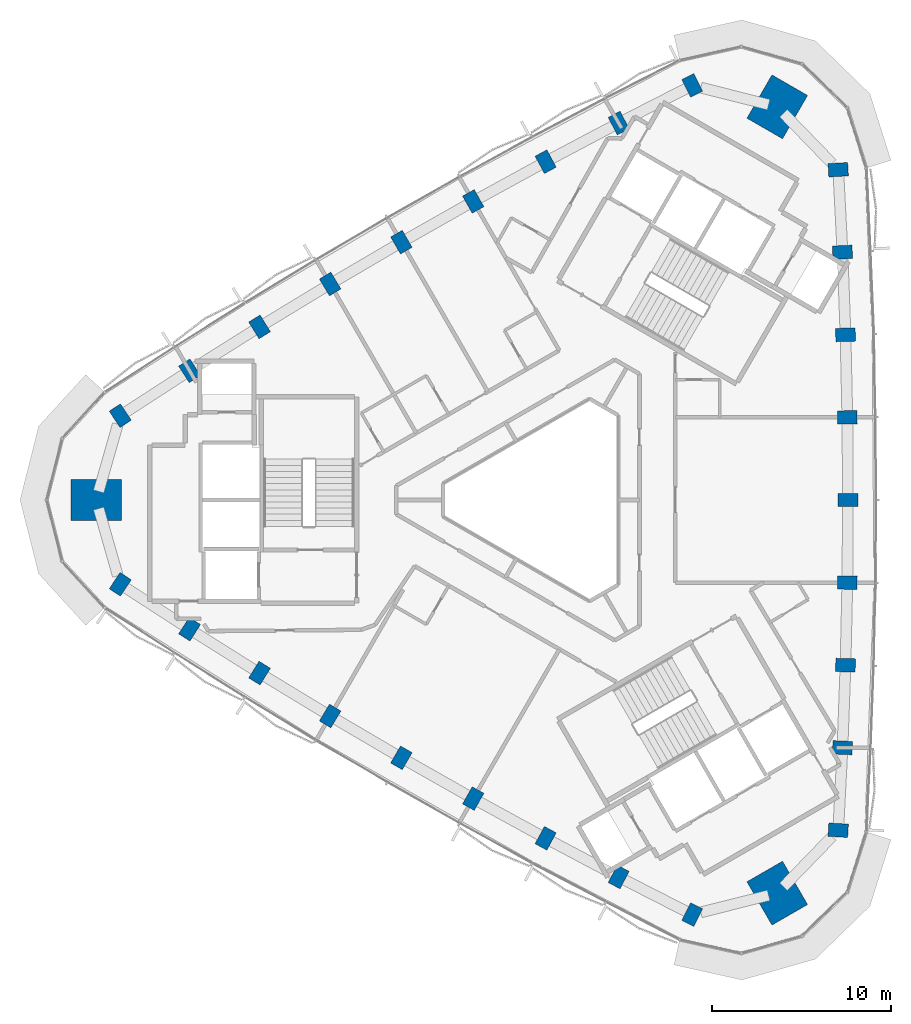
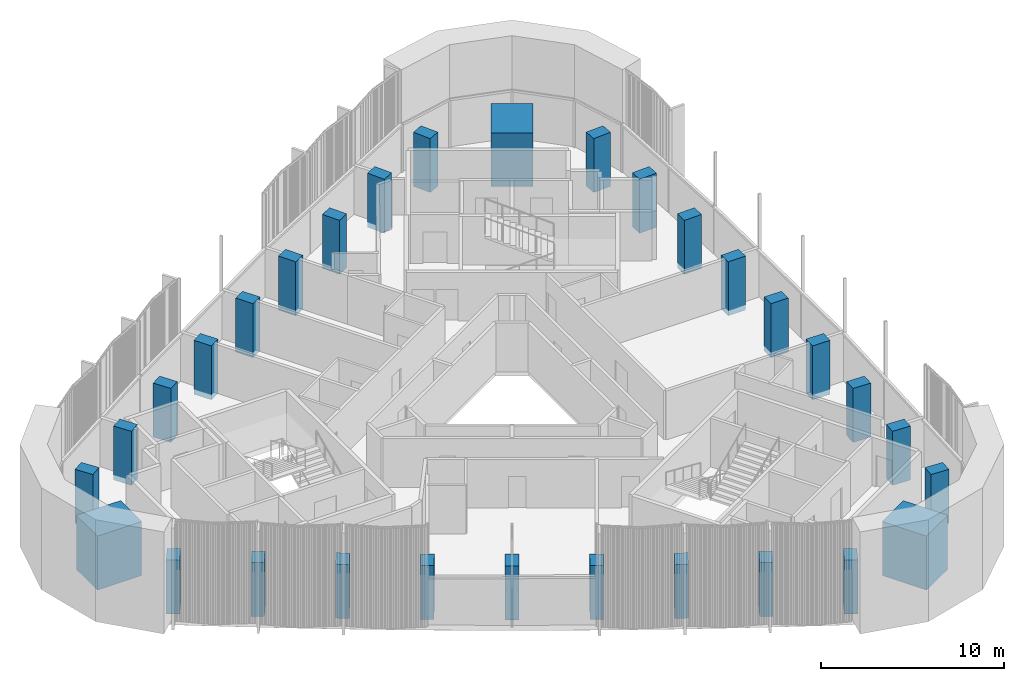
# One storey, part 1 of 14: 30 columns.
"""IFC4 building model written with IfcOpenShell, lengths in metres."""

from ifc_helpers import new_model, si_unit, direction, frame, origin, origin_2d, place, context, subcontext, project, spatial, rectangle, extrude, material, material_profile, profile_set, type_object, element, save


model = new_model("IFC4")

# Units and contexts
model_context = context("Model", 3, precision=1e-05, world=origin(), true_north=direction((0.0, 1.0)))
body_context = subcontext(model_context, "Body", "Model", "MODEL_VIEW")
ifc_project = project(units=[si_unit("LENGTHUNIT", "METRE"), si_unit("AREAUNIT", "SQUARE_METRE"), si_unit("VOLUMEUNIT", "CUBIC_METRE"), si_unit("PLANEANGLEUNIT", "RADIAN"), si_unit("MASSUNIT", "GRAM", prefix="KILO")], contexts=[model_context])

# Site, building, storey
site_placement = place(None, origin())
site = spatial("IfcSite", under=ifc_project, at=site_placement, CompositionType="ELEMENT")
building_placement = place(site_placement, origin())
building = spatial("IfcBuilding", under=site, at=building_placement, Name="Tamra Quay Hotel Tower", CompositionType="ELEMENT")
storey_placement = place(building_placement, frame((0.0, 0.0, 250.199951171875)))
storey = spatial("IfcBuildingStorey", under=building, at=storey_placement, Name="L63", CompositionType="ELEMENT", Elevation=250.199951171875)

# Columns
ifc_material = material(Name="Concrete M70", Category="concrete")
ifc_material_profile_1 = material_profile(ifc_material, rectangle(XDim=1.10009765625, YDim=0.75, at=origin_2d()), Name="COLUMN RC 750x1100 Z5")
ifc_profile_set_1 = profile_set([ifc_material_profile_1], Name="Concrete M70")
column_type_1 = type_object("IfcColumnType", Name="COLUMN RC 750x1100 Z5", PredefinedType="COLUMN", material=ifc_profile_set_1)
for number, where, z_axis, x_axis, name in (
    (1, (16.12548828125, -18.490966796875, -0.349853515625), (0.0, 0.0, 1.0), (-0.998292120165, 0.05841954139, 0.0), "COL-C5E01-L63"),
    (2, (16.36328125, -13.87158203125, -0.349853515625), (0.0, 0.0, 1.0), (-0.999033395056, 0.043957656467, 0.0), "COL-C5E02-L63"),
    (3, (16.533203125, -9.24951171875, -0.349853515625), (0.0, 0.0, 1.0), (-0.999578606696, 0.029027728727, 0.0), "COL-C5E03-L63"),
    (4, (16.63525390625, -4.625, -0.349853515625), (0.0, 0.0, 1.0), (-0.999888113, 0.014958659101, 0.0), "COL-C5E04-L63"),
    (5, (16.66943359375, 0.0, -0.349853515625), (0.0, 0.0, 1.0), (1.0, 0.0, 0.0), "COL-C5E05-L63"),
    (6, (16.63525390625, 4.625, -0.349853515625), (0.0, 0.0, 1.0), (0.999888113, 0.014958659101, 0.0), "COL-C5E06-L63"),
    (7, (16.533203125, 9.24951171875, -0.349853515625), (0.0, 0.0, 1.0), (0.999578606696, 0.029027728727, 0.0), "COL-C5E07-L63"),
    (8, (16.36328125, 13.87158203125, -0.349853515625), (0.0, 0.0, 1.0), (0.999033395056, 0.043957656467, 0.0), "COL-C5E08-L63"),
    (9, (16.12548828125, 18.490966796875, -0.349853515625), (0.0, 0.0, 1.0), (0.998292120165, 0.05841954139, 0.0), "COL-C5E09-L63"),
    (10, (7.950927734375, 23.210693359375, -0.349853515625), (0.0, 0.0, 1.0), (-0.448553253162, 0.893756107156, 0.0), "COL-C5NW01-L63"),
    (11, (3.83154296875, 21.10693359375, -0.349853515625), (0.0, 0.0, 1.0), (-0.461448250337, 0.887167127581, 0.0), "COL-C5NW02-L63"),
    (12, (-0.25634765625, 18.943115234375, -0.349853515625), (0.0, 0.0, 1.0), (-0.474650552857, 0.880174330842, 0.0), "COL-C5NW03-L63"),
    (13, (-4.312255859375, 16.718994140625, -0.349853515625), (0.0, 0.0, 1.0), (-0.486989477712, 0.87340783635, 0.0), "COL-C5NW04-L63"),
    (14, (-8.334716796875, 14.43603515625, -0.349853515625), (0.0, 0.0, 1.0), (-0.5, 0.866025403784, 0.0), "COL-C5NW05-L63"),
    (15, (-12.322998046875, 12.093994140625, -0.349853515625), (0.0, 0.0, 1.0), (-0.512898635288, 0.858449177249, 0.0), "COL-C5NW06-L63"),
    (16, (-16.277099609375, 9.693359375, -0.349853515625), (0.0, 0.0, 1.0), (-0.52492805384, 0.851146602115, 0.0), "COL-C5NW07-L63"),
    (17, (-20.19482421875, 7.235107421875, -0.349853515625), (0.0, 0.0, 1.0), (-0.537585144719, 0.843209471114, 0.0), "COL-C5NW08-L63"),
    (18, (-24.076416015625, 4.7197265625, -0.349853515625), (0.0, 0.0, 1.0), (-0.549738867003, 0.835336565766, 0.0), "COL-C5NW09-L63"),
    (19, (-24.076416015625, -4.7197265625, -0.349853515625), (0.0, 0.0, 1.0), (0.549738867003, 0.835336565766, 0.0), "COL-C5SW01-L63"),
    (20, (-20.19482421875, -7.235107421875, -0.349853515625), (0.0, 0.0, 1.0), (0.537585144719, 0.843209471114, 0.0), "COL-C5SW02-L63"),
    (21, (-16.277099609375, -9.693359375, -0.349853515625), (0.0, 0.0, 1.0), (0.52492805384, 0.851146602115, 0.0), "COL-C5SW03-L63"),
    (22, (-12.322998046875, -12.093994140625, -0.349853515625), (0.0, 0.0, 1.0), (0.512898635288, 0.858449177249, 0.0), "COL-C5SW04-L63"),
    (23, (-8.334716796875, -14.43603515625, -0.349853515625), (0.0, 0.0, 1.0), (0.5, 0.866025403784, 0.0), "COL-C5SW05-L63"),
    (24, (-4.312255859375, -16.718994140625, -0.349853515625), (0.0, 0.0, 1.0), (0.486989477712, 0.87340783635, 0.0), "COL-C5SW06-L63"),
    (25, (-0.25634765625, -18.943115234375, -0.349853515625), (0.0, 0.0, 1.0), (0.474650552857, 0.880174330842, 0.0), "COL-C5SW07-L63"),
    (26, (3.83154296875, -21.10693359375, -0.349853515625), (0.0, 0.0, 1.0), (0.461448250337, 0.887167127581, 0.0), "COL-C5SW08-L63"),
    (27, (7.950927734375, -23.210693359375, -0.349853515625), (0.0, 0.0, 1.0), (0.448553253162, 0.893756107156, 0.0), "COL-C5SW09-L63"),
):
    element("IfcColumn", number, at=place(storey_placement, frame(where, z_axis=z_axis, x_axis=x_axis)), inside=storey, type_object=column_type_1, Name=name, PredefinedType="COLUMN", context=body_context, shape_type="SweptSolid", body=[
        extrude(rectangle(XDim=1.10009765625, YDim=0.75, at=origin_2d()), origin(), (0.0, 0.0, 1.0), 3.599853515625),
    ])
ifc_material_profile_2 = material_profile(ifc_material, rectangle(XDim=2.800048828125, YDim=2.300048828125, at=origin_2d()), Name="MEGA COLUMN RC 2300x2800 Z5")
ifc_profile_set_2 = profile_set([ifc_material_profile_2], Name="Concrete M70")
column_type_2 = type_object("IfcColumnType", Name="MEGA COLUMN RC 2300x2800 Z5", PredefinedType="COLUMN", material=ifc_profile_set_2)
for number, where, z_axis, x_axis, name in (
    (28, (12.710205078125, 22.0146484375, -0.349853515625), (0.0, 0.0, 1.0), (0.5, 0.866025403784, 0.0), "COL-M5NE-L63"),
    (29, (-25.42041015625, 0.0, -0.349853515625), (0.0, 0.0, 1.0), (1.0, 0.0, 0.0), "COL-M5W-L63"),
    (30, (12.710205078125, -22.0146484375, -0.349853515625), (0.0, 0.0, 1.0), (-0.5, 0.866025403784, 0.0), "COL-M5SE-L63"),
):
    element("IfcColumn", number, at=place(storey_placement, frame(where, z_axis=z_axis, x_axis=x_axis)), inside=storey, type_object=column_type_2, Name=name, PredefinedType="COLUMN", context=body_context, shape_type="SweptSolid", body=[
        extrude(rectangle(XDim=2.800048828125, YDim=2.300048828125, at=origin_2d()), origin(), (0.0, 0.0, 1.0), 3.599853515625),
    ])

save(model, "model.ifc")
